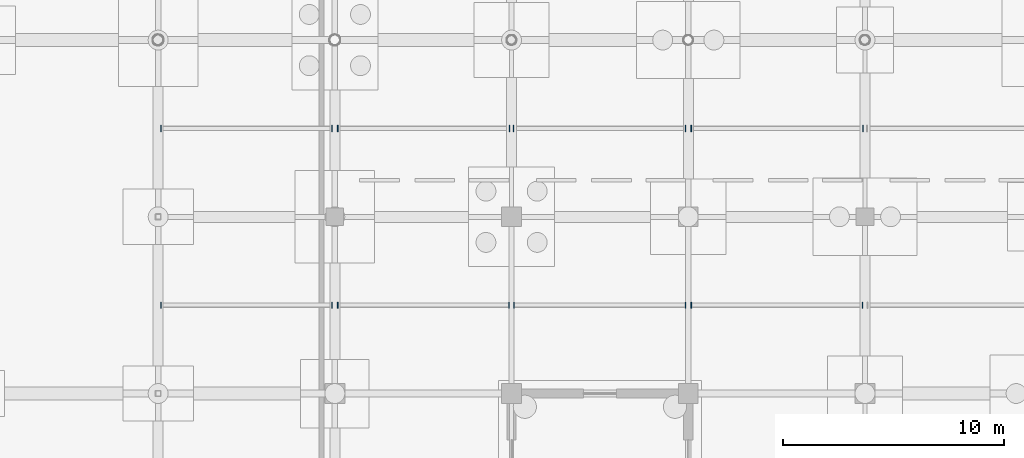
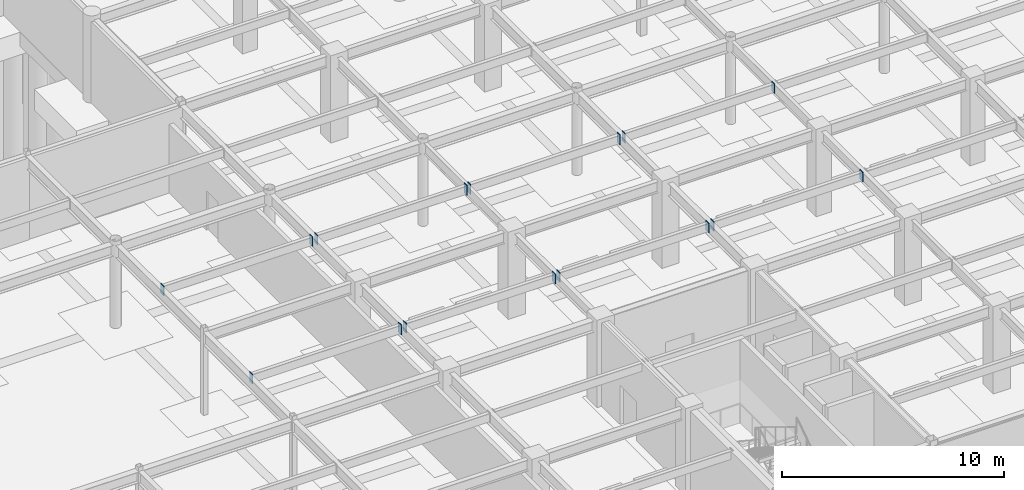
# One storey, part 69 of 105: 16 discrete accessories.
"""IFC4 building model written with IfcOpenShell, lengths in metres."""

from ifc_helpers import new_model, si_unit, direction, frame, origin, origin_2d, place, context, subcontext, project, spatial, rectangle, extrude, material, layer, layer_set, type_object, element, save


model = new_model("IFC4")

# Units and contexts
model_context = context("Model", 3, precision=1e-05, world=origin(), true_north=direction((0.0, 1.0)))
body_context = subcontext(model_context, "Body", "Model", "MODEL_VIEW")
ifc_project = project(units=[si_unit("LENGTHUNIT", "METRE"), si_unit("AREAUNIT", "SQUARE_METRE"), si_unit("VOLUMEUNIT", "CUBIC_METRE"), si_unit("PLANEANGLEUNIT", "RADIAN"), si_unit("MASSUNIT", "GRAM", prefix="KILO")], contexts=[model_context])

# Site, building, storey
site_placement = place(None, origin())
site = spatial("IfcSite", under=ifc_project, at=site_placement, CompositionType="ELEMENT")
building_placement = place(site_placement, origin())
building = spatial("IfcBuilding", under=site, at=building_placement, Name="Solmirada Galleria", CompositionType="ELEMENT")
storey_placement = place(building_placement, frame((0.0, 0.0, -4.800048828125)))
storey = spatial("IfcBuildingStorey", under=building, at=storey_placement, Name="B1", CompositionType="ELEMENT", Elevation=-4.800048828125)

# Discrete accessories
ifc_material = material(Name="Steel S355 / ASTM A572 Grade 50", Category="steel")
ifc_layer = layer(ifc_material, 0.031982421875)
ifc_layer_set = layer_set([ifc_layer], Name="Steel S355 / ASTM A572 Grade 50")
discrete_accessory_type = type_object("IfcDiscreteAccessoryType", Name="ACC-COL-CAP", PredefinedType="BRACKET", material=ifc_layer_set)
for number, where, z_axis, x_axis, name in (
    (1, (72.1279296875, 20.0, 4.08154296875), (0.0, 0.0, 1.0), (1.0, 0.0, 0.0), "Hollow joist end plate L00-10-03-L"),
    (2, (79.873046875, 20.0, 4.08154296875), (0.0, 0.0, 1.0), (1.0, 0.0, 0.0), "Hollow joist end plate L00-10-03-R"),
    (3, (72.1279296875, 28.0, 4.08154296875), (0.0, 0.0, 1.0), (1.0, 0.0, 0.0), "Hollow joist end plate L00-10-04-L"),
    (4, (79.873046875, 28.0, 4.08154296875), (0.0, 0.0, 1.0), (1.0, 0.0, 0.0), "Hollow joist end plate L00-10-04-R"),
    (5, (80.126953125, 20.0, 4.08154296875), (0.0, 0.0, 1.0), (1.0, 0.0, 0.0), "Hollow joist end plate L00-11-03-L"),
    (6, (87.885986328125, 20.0, 4.08154296875), (0.0, 0.0, 1.0), (1.0, 0.0, 0.0), "Hollow joist end plate L00-11-03-R"),
    (7, (80.126953125, 28.0, 4.08154296875), (0.0, 0.0, 1.0), (1.0, 0.0, 0.0), "Hollow joist end plate L00-11-04-L"),
    (8, (87.910888671875, 28.0, 4.08154296875), (0.0, 0.0, 1.0), (1.0, 0.0, 0.0), "Hollow joist end plate L00-11-04-R"),
    (9, (88.114013671875, 20.0, 4.08154296875), (0.0, 0.0, 1.0), (1.0, 0.0, 0.0), "Hollow joist end plate L00-12-03-L"),
    (10, (95.8720703125, 20.0, 4.08154296875), (0.0, 0.0, 1.0), (1.0, 0.0, 0.0), "Hollow joist end plate L00-12-03-R"),
    (11, (88.089111328125, 28.0, 4.08154296875), (0.0, 0.0, 1.0), (1.0, 0.0, 0.0), "Hollow joist end plate L00-12-04-L"),
    (12, (95.8720703125, 28.0, 4.08154296875), (0.0, 0.0, 1.0), (1.0, 0.0, 0.0), "Hollow joist end plate L00-12-04-R"),
    (13, (96.1279296875, 20.0, 4.08154296875), (0.0, 0.0, 1.0), (1.0, 0.0, 0.0), "Hollow joist end plate L00-13-03-L"),
    (14, (103.885986328125, 20.0, 4.08154296875), (0.0, 0.0, 1.0), (1.0, 0.0, 0.0), "Hollow joist end plate L00-13-03-R"),
    (15, (96.1279296875, 28.0, 4.08154296875), (0.0, 0.0, 1.0), (1.0, 0.0, 0.0), "Hollow joist end plate L00-13-04-L"),
    (16, (103.910888671875, 28.0, 4.08154296875), (0.0, 0.0, 1.0), (1.0, 0.0, 0.0), "Hollow joist end plate L00-13-04-R"),
):
    element("IfcDiscreteAccessory", number, at=place(storey_placement, frame(where, z_axis=z_axis, x_axis=x_axis)), inside=storey, type_object=discrete_accessory_type, Name=name, PredefinedType="BRACKET", context=body_context, shape_type="SweptSolid", body=[
        extrude(rectangle(XDim=0.035888671875, YDim=0.280029296875, at=origin_2d()), origin(), (0.0, 0.0, 1.0), 0.5400390625),
    ])

save(model, "model.ifc")
